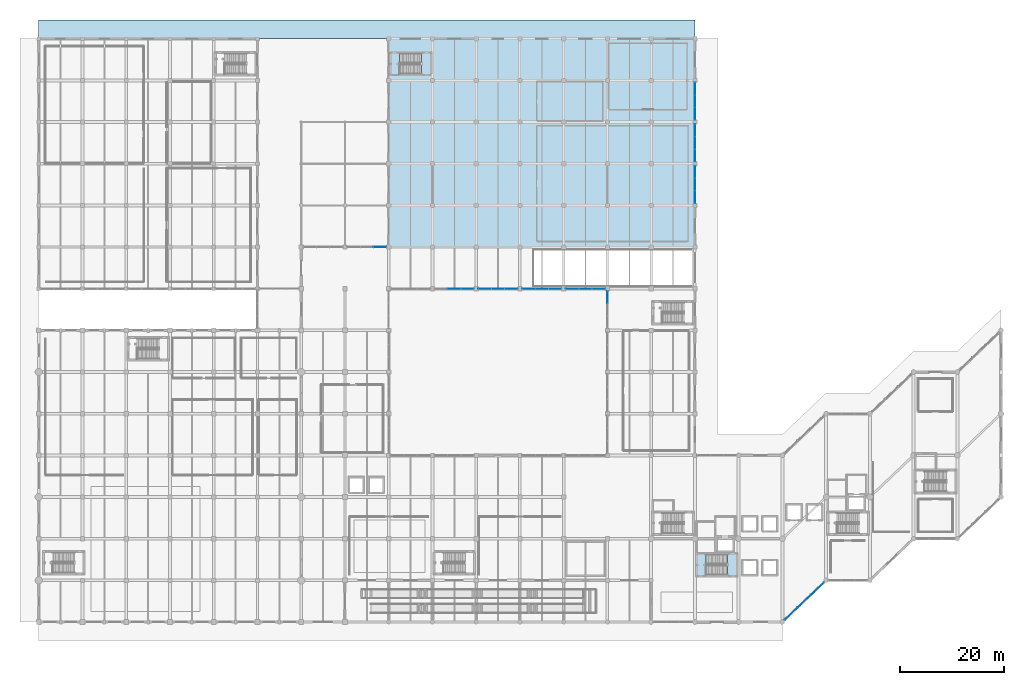
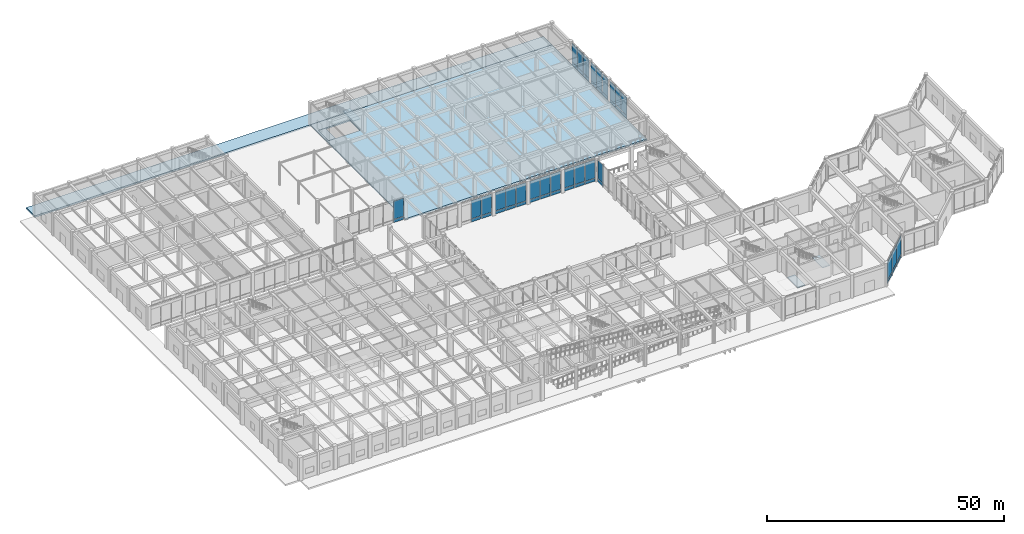
# One storey, part 46 of 76: 50 plates, 6 slabs, 12 elements without a shape of their own.
"""IFC4 building model written with IfcOpenShell, lengths in metres."""

from ifc_helpers import new_model, si_unit, direction, frame, origin, origin_2d, place, context, subcontext, project, spatial, polyline, rectangle, outline, extrude, material, layer, layer_set, type_object, element, aggregate, save


model = new_model("IFC4")

# Units and contexts
model_context = context("Model", 3, precision=1e-05, world=origin(), true_north=direction((0.0, 1.0)))
body_context = subcontext(model_context, "Body", "Model", "MODEL_VIEW")
ifc_project = project(units=[si_unit("LENGTHUNIT", "METRE"), si_unit("AREAUNIT", "SQUARE_METRE"), si_unit("VOLUMEUNIT", "CUBIC_METRE"), si_unit("PLANEANGLEUNIT", "RADIAN"), si_unit("MASSUNIT", "GRAM", prefix="KILO")], contexts=[model_context])

# Site, building, storey
site_placement = place(None, origin())
site = spatial("IfcSite", under=ifc_project, at=site_placement, CompositionType="ELEMENT")
building_placement = place(site_placement, origin())
building = spatial("IfcBuilding", under=site, at=building_placement, Name="Naruveol Harbour Congress Hotel", CompositionType="ELEMENT")
storey_placement = place(building_placement, origin())
storey = spatial("IfcBuildingStorey", under=building, at=storey_placement, Name="L00", CompositionType="ELEMENT", Elevation=0.0)

# Curtain wall, plates
ifc_material_1 = material(Name="Low-E Curtain Wall System", Category="glass")
ifc_layer_1 = layer(ifc_material_1, 0.179931640625)
ifc_layer_set_1 = layer_set([ifc_layer_1], Name="Low-E Curtain Wall System")
curtain_wall_type_1 = type_object("IfcCurtainWallType", Name="UNITISED CURTAIN WALL CW-V2E-16 7200X5700", PredefinedType="USERDEFINED", material=ifc_layer_set_1)
curtain_wall_1_placement = place(storey_placement, origin())
curtain_wall_1 = element("IfcCurtainWall", 1, at=curtain_wall_1_placement, inside=storey, type_object=curtain_wall_type_1, Name="Unitised curtain wall CW-V2E-16 L00", ObjectType="UNITISED GLAZING", PredefinedType="USERDEFINED")
ifc_material_2 = material(Name="Anodised Aluminium Spandrel", Category="aluminium")
ifc_layer_2 = layer(ifc_material_2, 0.054931640625)
ifc_layer_set_2 = layer_set([ifc_layer_2], Name="Anodised Aluminium Spandrel")
plate_type_1 = type_object("IfcPlateType", Name="INSULATED CERAMIC SPANDREL PANEL 55", PredefinedType="CURTAIN_PANEL", material=ifc_layer_set_2)
plate_1_placement = place(storey_placement, frame((126.010009765625, 86.39990234375, 0.0400390625), z_axis=(0.0, 0.0, 1.0), x_axis=(0.0, -1.0, 0.0)))
plate_1 = element("IfcPlate", 2, at=plate_1_placement, type_object=plate_type_1, Name="Curtain wall spandrel panel CW-L00-0033-PS0", PredefinedType="CURTAIN_PANEL", context=body_context, shape_type="SweptSolid", body=[
    extrude(rectangle(XDim=2.320068359375, YDim=0.054931640625, at=origin_2d()), origin(), (0.0, 0.0, 1.0), 0.77001953125),
])
plate_2_placement = place(storey_placement, frame((126.010009765625, 84.0, 0.0400390625), z_axis=(0.0, 0.0, 1.0), x_axis=(0.0, -1.0, 0.0)))
plate_2 = element("IfcPlate", 3, at=plate_2_placement, type_object=plate_type_1, Name="Curtain wall spandrel panel CW-L00-0033-PS1", PredefinedType="CURTAIN_PANEL", context=body_context, shape_type="SweptSolid", body=[
    extrude(rectangle(XDim=2.320068359375, YDim=0.054931640625, at=origin_2d()), origin(), (0.0, 0.0, 1.0), 0.77001953125),
])
plate_3_placement = place(storey_placement, frame((126.010009765625, 81.60009765625, 0.0400390625), z_axis=(0.0, 0.0, 1.0), x_axis=(0.0, -1.0, 0.0)))
plate_3 = element("IfcPlate", 4, at=plate_3_placement, type_object=plate_type_1, Name="Curtain wall spandrel panel CW-L00-0033-PS2", PredefinedType="CURTAIN_PANEL", context=body_context, shape_type="SweptSolid", body=[
    extrude(rectangle(XDim=2.320068359375, YDim=0.054931640625, at=origin_2d()), origin(), (0.0, 0.0, 1.0), 0.77001953125),
])

curtain_wall_2_placement = place(storey_placement, origin())
curtain_wall_2 = element("IfcCurtainWall", 5, at=curtain_wall_2_placement, inside=storey, type_object=curtain_wall_type_1, Name="Unitised curtain wall CW-V2E-16 L00", ObjectType="UNITISED GLAZING", PredefinedType="USERDEFINED")
plate_4_placement = place(storey_placement, frame((126.010009765625, 94.39990234375, 0.0400390625), z_axis=(0.0, 0.0, 1.0), x_axis=(0.0, -1.0, 0.0)))
plate_4 = element("IfcPlate", 6, at=plate_4_placement, type_object=plate_type_1, Name="Curtain wall spandrel panel CW-L00-0034-PS0", PredefinedType="CURTAIN_PANEL", context=body_context, shape_type="SweptSolid", body=[
    extrude(rectangle(XDim=2.320068359375, YDim=0.054931640625, at=origin_2d()), origin(), (0.0, 0.0, 1.0), 0.77001953125),
])
plate_5_placement = place(storey_placement, frame((126.010009765625, 92.0, 0.0400390625), z_axis=(0.0, 0.0, 1.0), x_axis=(0.0, -1.0, 0.0)))
plate_5 = element("IfcPlate", 7, at=plate_5_placement, type_object=plate_type_1, Name="Curtain wall spandrel panel CW-L00-0034-PS1", PredefinedType="CURTAIN_PANEL", context=body_context, shape_type="SweptSolid", body=[
    extrude(rectangle(XDim=2.320068359375, YDim=0.054931640625, at=origin_2d()), origin(), (0.0, 0.0, 1.0), 0.77001953125),
])
plate_6_placement = place(storey_placement, frame((126.010009765625, 89.60009765625, 0.0400390625), z_axis=(0.0, 0.0, 1.0), x_axis=(0.0, -1.0, 0.0)))
plate_6 = element("IfcPlate", 8, at=plate_6_placement, type_object=plate_type_1, Name="Curtain wall spandrel panel CW-L00-0034-PS2", PredefinedType="CURTAIN_PANEL", context=body_context, shape_type="SweptSolid", body=[
    extrude(rectangle(XDim=2.320068359375, YDim=0.054931640625, at=origin_2d()), origin(), (0.0, 0.0, 1.0), 0.77001953125),
])

curtain_wall_3_placement = place(storey_placement, origin())
curtain_wall_3 = element("IfcCurtainWall", 9, at=curtain_wall_3_placement, inside=storey, type_object=curtain_wall_type_1, Name="Unitised curtain wall CW-V2E-16 L00", ObjectType="UNITISED GLAZING", PredefinedType="USERDEFINED")
plate_7_placement = place(storey_placement, frame((126.010009765625, 102.39990234375, 0.0400390625), z_axis=(0.0, 0.0, 1.0), x_axis=(0.0, -1.0, 0.0)))
plate_7 = element("IfcPlate", 10, at=plate_7_placement, type_object=plate_type_1, Name="Curtain wall spandrel panel CW-L00-0035-PS0", PredefinedType="CURTAIN_PANEL", context=body_context, shape_type="SweptSolid", body=[
    extrude(rectangle(XDim=2.320068359375, YDim=0.054931640625, at=origin_2d()), origin(), (0.0, 0.0, 1.0), 0.77001953125),
])
plate_8_placement = place(storey_placement, frame((126.010009765625, 100.0, 0.0400390625), z_axis=(0.0, 0.0, 1.0), x_axis=(0.0, -1.0, 0.0)))
plate_8 = element("IfcPlate", 11, at=plate_8_placement, type_object=plate_type_1, Name="Curtain wall spandrel panel CW-L00-0035-PS1", PredefinedType="CURTAIN_PANEL", context=body_context, shape_type="SweptSolid", body=[
    extrude(rectangle(XDim=2.320068359375, YDim=0.054931640625, at=origin_2d()), origin(), (0.0, 0.0, 1.0), 0.77001953125),
])
plate_9_placement = place(storey_placement, frame((126.010009765625, 97.60009765625, 0.0400390625), z_axis=(0.0, 0.0, 1.0), x_axis=(0.0, -1.0, 0.0)))
plate_9 = element("IfcPlate", 12, at=plate_9_placement, type_object=plate_type_1, Name="Curtain wall spandrel panel CW-L00-0035-PS2", PredefinedType="CURTAIN_PANEL", context=body_context, shape_type="SweptSolid", body=[
    extrude(rectangle(XDim=2.320068359375, YDim=0.054931640625, at=origin_2d()), origin(), (0.0, 0.0, 1.0), 0.77001953125),
])

# Curtain wall, plate
ifc_material_3 = material(Name="Low-E Curtain Wall System", Category="glass")
ifc_layer_3 = layer(ifc_material_3, 0.179931640625)
ifc_layer_set_3 = layer_set([ifc_layer_3], Name="Low-E Curtain Wall System")
curtain_wall_type_2 = type_object("IfcCurtainWallType", Name="UNITISED CURTAIN WALL CW-V4NF-25 7600X5700", PredefinedType="USERDEFINED", material=ifc_layer_set_3)
curtain_wall_4_placement = place(storey_placement, origin())
curtain_wall_4 = element("IfcCurtainWall", 13, at=curtain_wall_4_placement, inside=storey, type_object=curtain_wall_type_2, Name="Unitised curtain wall CW-V4NF-25 L00", ObjectType="UNITISED GLAZING", PredefinedType="USERDEFINED")
plate_10_placement = place(storey_placement, frame((65.533203125, 72.010009765625, 0.0400390625), z_axis=(0.0, 0.0, 1.0), x_axis=(1.0, 0.0, 0.0)))
plate_10 = element("IfcPlate", 14, at=plate_10_placement, type_object=plate_type_1, Name="Curtain wall spandrel panel CW-L00-0053-PS2", PredefinedType="CURTAIN_PANEL", context=body_context, shape_type="SweptSolid", body=[
    extrude(rectangle(XDim=2.452880859375, YDim=0.054931640625, at=origin_2d()), origin(), (0.0, 0.0, 1.0), 0.77001953125),
])

# Curtain wall, plates
ifc_material_4 = material(Name="Low-E Curtain Wall System", Category="glass")
ifc_layer_4 = layer(ifc_material_4, 0.179931640625)
ifc_layer_set_4 = layer_set([ifc_layer_4], Name="Low-E Curtain Wall System")
curtain_wall_type_3 = type_object("IfcCurtainWallType", Name="UNITISED CURTAIN WALL CW-CTN-26 7600X5700", PredefinedType="USERDEFINED", material=ifc_layer_set_4)
curtain_wall_5_placement = place(storey_placement, origin())
curtain_wall_5 = element("IfcCurtainWall", 15, at=curtain_wall_5_placement, inside=storey, type_object=curtain_wall_type_3, Name="Unitised curtain wall CW-CTN-26 L00", ObjectType="UNITISED GLAZING", PredefinedType="USERDEFINED")
plate_11_placement = place(storey_placement, frame((82.333251953125, 63.989990234375, 0.0400390625), z_axis=(0.0, 0.0, 1.0), x_axis=(-1.0, 0.0, 0.0)))
plate_11 = element("IfcPlate", 16, at=plate_11_placement, type_object=plate_type_1, Name="Curtain wall spandrel panel CW-L00-0056-PS0", PredefinedType="CURTAIN_PANEL", context=body_context, shape_type="SweptSolid", body=[
    extrude(rectangle(XDim=2.452880859375, YDim=0.054931640625, at=origin_2d()), origin(), (0.0, 0.0, 1.0), 0.77001953125),
])
plate_12_placement = place(storey_placement, frame((79.800048828125, 63.989990234375, 0.0400390625), z_axis=(0.0, 0.0, 1.0), x_axis=(-1.0, 0.0, 0.0)))
plate_12 = element("IfcPlate", 17, at=plate_12_placement, type_object=plate_type_1, Name="Curtain wall spandrel panel CW-L00-0056-PS1", PredefinedType="CURTAIN_PANEL", context=body_context, shape_type="SweptSolid", body=[
    extrude(rectangle(XDim=2.452880859375, YDim=0.054931640625, at=origin_2d()), origin(), (0.0, 0.0, 1.0), 0.77001953125),
])

curtain_wall_6_placement = place(storey_placement, origin())
curtain_wall_6 = element("IfcCurtainWall", 18, at=curtain_wall_6_placement, inside=storey, type_object=curtain_wall_type_3, Name="Unitised curtain wall CW-CTN-26 L00", ObjectType="UNITISED GLAZING", PredefinedType="USERDEFINED")
plate_13_placement = place(storey_placement, frame((90.7333984375, 63.989990234375, 0.0400390625), z_axis=(0.0, 0.0, 1.0), x_axis=(-1.0, 0.0, 0.0)))
plate_13 = element("IfcPlate", 19, at=plate_13_placement, type_object=plate_type_1, Name="Curtain wall spandrel panel CW-L00-0058-PS0", PredefinedType="CURTAIN_PANEL", context=body_context, shape_type="SweptSolid", body=[
    extrude(rectangle(XDim=2.452880859375, YDim=0.054931640625, at=origin_2d()), origin(), (0.0, 0.0, 1.0), 0.77001953125),
])
plate_14_placement = place(storey_placement, frame((88.199951171875, 63.989990234375, 0.0400390625), z_axis=(0.0, 0.0, 1.0), x_axis=(-1.0, 0.0, 0.0)))
plate_14 = element("IfcPlate", 20, at=plate_14_placement, type_object=plate_type_1, Name="Curtain wall spandrel panel CW-L00-0058-PS1", PredefinedType="CURTAIN_PANEL", context=body_context, shape_type="SweptSolid", body=[
    extrude(rectangle(XDim=2.452880859375, YDim=0.054931640625, at=origin_2d()), origin(), (0.0, 0.0, 1.0), 0.77001953125),
])
plate_15_placement = place(storey_placement, frame((85.666748046875, 63.989990234375, 0.0400390625), z_axis=(0.0, 0.0, 1.0), x_axis=(-1.0, 0.0, 0.0)))
plate_15 = element("IfcPlate", 21, at=plate_15_placement, type_object=plate_type_1, Name="Curtain wall spandrel panel CW-L00-0058-PS2", PredefinedType="CURTAIN_PANEL", context=body_context, shape_type="SweptSolid", body=[
    extrude(rectangle(XDim=2.452880859375, YDim=0.054931640625, at=origin_2d()), origin(), (0.0, 0.0, 1.0), 0.77001953125),
])

curtain_wall_7_placement = place(storey_placement, origin())
curtain_wall_7 = element("IfcCurtainWall", 22, at=curtain_wall_7_placement, inside=storey, type_object=curtain_wall_type_3, Name="Unitised curtain wall CW-CTN-26 L00", ObjectType="UNITISED GLAZING", PredefinedType="USERDEFINED")
plate_16_placement = place(storey_placement, frame((99.13330078125, 63.989990234375, 0.0400390625), z_axis=(0.0, 0.0, 1.0), x_axis=(-1.0, 0.0, 0.0)))
plate_16 = element("IfcPlate", 23, at=plate_16_placement, type_object=plate_type_1, Name="Curtain wall spandrel panel CW-L00-0059-PS0", PredefinedType="CURTAIN_PANEL", context=body_context, shape_type="SweptSolid", body=[
    extrude(rectangle(XDim=2.452880859375, YDim=0.054931640625, at=origin_2d()), origin(), (0.0, 0.0, 1.0), 0.77001953125),
])
plate_17_placement = place(storey_placement, frame((96.60009765625, 63.989990234375, 0.0400390625), z_axis=(0.0, 0.0, 1.0), x_axis=(-1.0, 0.0, 0.0)))
plate_17 = element("IfcPlate", 24, at=plate_17_placement, type_object=plate_type_1, Name="Curtain wall spandrel panel CW-L00-0059-PS1", PredefinedType="CURTAIN_PANEL", context=body_context, shape_type="SweptSolid", body=[
    extrude(rectangle(XDim=2.452880859375, YDim=0.054931640625, at=origin_2d()), origin(), (0.0, 0.0, 1.0), 0.77001953125),
])
plate_18_placement = place(storey_placement, frame((94.066650390625, 63.989990234375, 0.0400390625), z_axis=(0.0, 0.0, 1.0), x_axis=(-1.0, 0.0, 0.0)))
plate_18 = element("IfcPlate", 25, at=plate_18_placement, type_object=plate_type_1, Name="Curtain wall spandrel panel CW-L00-0059-PS2", PredefinedType="CURTAIN_PANEL", context=body_context, shape_type="SweptSolid", body=[
    extrude(rectangle(XDim=2.452880859375, YDim=0.054931640625, at=origin_2d()), origin(), (0.0, 0.0, 1.0), 0.77001953125),
])

curtain_wall_8_placement = place(storey_placement, origin())
curtain_wall_8 = element("IfcCurtainWall", 26, at=curtain_wall_8_placement, inside=storey, type_object=curtain_wall_type_3, Name="Unitised curtain wall CW-CTN-26 L00", ObjectType="UNITISED GLAZING", PredefinedType="USERDEFINED")
plate_19_placement = place(storey_placement, frame((107.533203125, 63.989990234375, 0.0400390625), z_axis=(0.0, 0.0, 1.0), x_axis=(-1.0, 0.0, 0.0)))
plate_19 = element("IfcPlate", 27, at=plate_19_placement, type_object=plate_type_1, Name="Curtain wall spandrel panel CW-L00-0061-PS0", PredefinedType="CURTAIN_PANEL", context=body_context, shape_type="SweptSolid", body=[
    extrude(rectangle(XDim=2.452880859375, YDim=0.054931640625, at=origin_2d()), origin(), (0.0, 0.0, 1.0), 0.77001953125),
])
plate_20_placement = place(storey_placement, frame((105.0, 63.989990234375, 0.0400390625), z_axis=(0.0, 0.0, 1.0), x_axis=(-1.0, 0.0, 0.0)))
plate_20 = element("IfcPlate", 28, at=plate_20_placement, type_object=plate_type_1, Name="Curtain wall spandrel panel CW-L00-0061-PS1", PredefinedType="CURTAIN_PANEL", context=body_context, shape_type="SweptSolid", body=[
    extrude(rectangle(XDim=2.452880859375, YDim=0.054931640625, at=origin_2d()), origin(), (0.0, 0.0, 1.0), 0.77001953125),
])
plate_21_placement = place(storey_placement, frame((102.466796875, 63.989990234375, 0.0400390625), z_axis=(0.0, 0.0, 1.0), x_axis=(-1.0, 0.0, 0.0)))
plate_21 = element("IfcPlate", 29, at=plate_21_placement, type_object=plate_type_1, Name="Curtain wall spandrel panel CW-L00-0061-PS2", PredefinedType="CURTAIN_PANEL", context=body_context, shape_type="SweptSolid", body=[
    extrude(rectangle(XDim=2.452880859375, YDim=0.054931640625, at=origin_2d()), origin(), (0.0, 0.0, 1.0), 0.77001953125),
])

# Curtain wall, plate
ifc_material_5 = material(Name="Low-E Curtain Wall System", Category="glass")
ifc_layer_5 = layer(ifc_material_5, 0.179931640625)
ifc_layer_set_5 = layer_set([ifc_layer_5], Name="Low-E Curtain Wall System")
curtain_wall_type_4 = type_object("IfcCurtainWallType", Name="UNITISED CURTAIN WALL CW-CTE-29 7200X5700", PredefinedType="USERDEFINED", material=ifc_layer_set_5)
curtain_wall_9_placement = place(storey_placement, origin())
curtain_wall_9 = element("IfcCurtainWall", 30, at=curtain_wall_9_placement, inside=storey, type_object=curtain_wall_type_4, Name="Unitised curtain wall CW-CTE-29 L00", ObjectType="UNITISED GLAZING", PredefinedType="USERDEFINED")
plate_22_placement = place(storey_placement, frame((109.2099609375, 62.39990234375, 0.0400390625), z_axis=(0.0, 0.0, 1.0), x_axis=(0.0, -1.0, 0.0)))
plate_22 = element("IfcPlate", 31, at=plate_22_placement, type_object=plate_type_1, Name="Curtain wall spandrel panel CW-L00-0070-PS0", PredefinedType="CURTAIN_PANEL", context=body_context, shape_type="SweptSolid", body=[
    extrude(rectangle(XDim=2.320068359375, YDim=0.054931640625, at=origin_2d()), origin(), (0.0, 0.0, 1.0), 0.77001953125),
])

# Curtain wall, plates
ifc_material_6 = material(Name="Low-E Curtain Wall System", Category="glass")
ifc_layer_6 = layer(ifc_material_6, 0.179931640625)
ifc_layer_set_6 = layer_set([ifc_layer_6], Name="Low-E Curtain Wall System")
curtain_wall_type_5 = type_object("IfcCurtainWallType", Name="UNITISED CURTAIN WALL CW-V5S-48 10357X5720", PredefinedType="USERDEFINED", material=ifc_layer_set_6)
curtain_wall_10_placement = place(storey_placement, origin())
curtain_wall_10 = element("IfcCurtainWall", 32, at=curtain_wall_10_placement, inside=storey, type_object=curtain_wall_type_5, Name="Unitised curtain wall CW-V5S-48 L00", ObjectType="UNITISED GLAZING", PredefinedType="USERDEFINED")
plate_23_placement = place(storey_placement, frame((149.5068359375, 6.373291015625, 0.0400390625), z_axis=(0.0, 0.0, 1.0), x_axis=(-0.724183897459, -0.689606904447, 0.0)))
plate_23 = element("IfcPlate", 33, at=plate_23_placement, type_object=plate_type_1, Name="Curtain wall spandrel panel CW-L00-0128-PS0", PredefinedType="CURTAIN_PANEL", context=body_context, shape_type="SweptSolid", body=[
    extrude(rectangle(XDim=3.3720703125, YDim=0.054931640625, at=origin_2d()), origin(), (0.0, 0.0, 1.0), 0.77001953125),
])
plate_24_placement = place(storey_placement, frame((147.0068359375, 3.992919921875, 0.0400390625), z_axis=(0.0, 0.0, 1.0), x_axis=(-0.724183897459, -0.689606904447, 0.0)))
plate_24 = element("IfcPlate", 34, at=plate_24_placement, type_object=plate_type_1, Name="Curtain wall spandrel panel CW-L00-0128-PS1", PredefinedType="CURTAIN_PANEL", context=body_context, shape_type="SweptSolid", body=[
    extrude(rectangle(XDim=3.3720703125, YDim=0.054931640625, at=origin_2d()), origin(), (0.0, 0.0, 1.0), 0.77001953125),
])
plate_25_placement = place(storey_placement, frame((144.5068359375, 1.612060546875, 0.0400390625), z_axis=(0.0, 0.0, 1.0), x_axis=(-0.724183897459, -0.689606904447, 0.0)))
plate_25 = element("IfcPlate", 35, at=plate_25_placement, type_object=plate_type_1, Name="Curtain wall spandrel panel CW-L00-0128-PS2", PredefinedType="CURTAIN_PANEL", context=body_context, shape_type="SweptSolid", body=[
    extrude(rectangle(XDim=3.3720703125, YDim=0.054931640625, at=origin_2d()), origin(), (0.0, 0.0, 1.0), 0.77001953125),
])

# Plate
ifc_material_7 = material(Name="Low-E Insulated Glass", Category="glass")
ifc_layer_7 = layer(ifc_material_7, 0.0419921875)
ifc_layer_set_7 = layer_set([ifc_layer_7], Name="Low-E Insulated Glass")
plate_type_2 = type_object("IfcPlateType", Name="LOW-E TRIPLE GLAZED CURTAIN PANEL 42", PredefinedType="CURTAIN_PANEL", material=ifc_layer_set_7)
plate_26_placement = place(storey_placement, frame((126.010009765625, 86.39990234375, 0.89013671875), z_axis=(0.0, 0.0, 1.0), x_axis=(0.0, -1.0, 0.0)))
plate_26 = element("IfcPlate", 36, at=plate_26_placement, type_object=plate_type_2, Name="Curtain wall vision panel CW-L00-0033-PG0", PredefinedType="CURTAIN_PANEL", context=body_context, shape_type="SweptSolid", body=[
    extrude(rectangle(XDim=2.320068359375, YDim=0.0419921875, at=origin_2d()), origin(), (0.0, 0.0, 1.0), 4.68994140625),
])

plate_27_placement = place(storey_placement, frame((126.010009765625, 84.0, 0.89013671875), z_axis=(0.0, 0.0, 1.0), x_axis=(0.0, -1.0, 0.0)))
plate_27 = element("IfcPlate", 37, at=plate_27_placement, type_object=plate_type_2, Name="Curtain wall vision panel CW-L00-0033-PG1", PredefinedType="CURTAIN_PANEL", context=body_context, shape_type="SweptSolid", body=[
    extrude(rectangle(XDim=2.320068359375, YDim=0.0419921875, at=origin_2d()), origin(), (0.0, 0.0, 1.0), 4.68994140625),
])

plate_28_placement = place(storey_placement, frame((126.010009765625, 81.60009765625, 0.89013671875), z_axis=(0.0, 0.0, 1.0), x_axis=(0.0, -1.0, 0.0)))
plate_28 = element("IfcPlate", 38, at=plate_28_placement, type_object=plate_type_2, Name="Curtain wall vision panel CW-L00-0033-PG2", PredefinedType="CURTAIN_PANEL", context=body_context, shape_type="SweptSolid", body=[
    extrude(rectangle(XDim=2.320068359375, YDim=0.0419921875, at=origin_2d()), origin(), (0.0, 0.0, 1.0), 4.68994140625),
])

aggregate(curtain_wall_1, [plate_1, plate_26, plate_2, plate_27, plate_3, plate_28])

plate_29_placement = place(storey_placement, frame((126.010009765625, 94.39990234375, 0.89013671875), z_axis=(0.0, 0.0, 1.0), x_axis=(0.0, -1.0, 0.0)))
plate_29 = element("IfcPlate", 39, at=plate_29_placement, type_object=plate_type_2, Name="Curtain wall vision panel CW-L00-0034-PG0", PredefinedType="CURTAIN_PANEL", context=body_context, shape_type="SweptSolid", body=[
    extrude(rectangle(XDim=2.320068359375, YDim=0.0419921875, at=origin_2d()), origin(), (0.0, 0.0, 1.0), 4.68994140625),
])

plate_30_placement = place(storey_placement, frame((126.010009765625, 92.0, 0.89013671875), z_axis=(0.0, 0.0, 1.0), x_axis=(0.0, -1.0, 0.0)))
plate_30 = element("IfcPlate", 40, at=plate_30_placement, type_object=plate_type_2, Name="Curtain wall vision panel CW-L00-0034-PG1", PredefinedType="CURTAIN_PANEL", context=body_context, shape_type="SweptSolid", body=[
    extrude(rectangle(XDim=2.320068359375, YDim=0.0419921875, at=origin_2d()), origin(), (0.0, 0.0, 1.0), 4.68994140625),
])

plate_31_placement = place(storey_placement, frame((126.010009765625, 89.60009765625, 0.89013671875), z_axis=(0.0, 0.0, 1.0), x_axis=(0.0, -1.0, 0.0)))
plate_31 = element("IfcPlate", 41, at=plate_31_placement, type_object=plate_type_2, Name="Curtain wall vision panel CW-L00-0034-PG2", PredefinedType="CURTAIN_PANEL", context=body_context, shape_type="SweptSolid", body=[
    extrude(rectangle(XDim=2.320068359375, YDim=0.0419921875, at=origin_2d()), origin(), (0.0, 0.0, 1.0), 4.68994140625),
])

aggregate(curtain_wall_2, [plate_4, plate_29, plate_5, plate_30, plate_6, plate_31])

plate_32_placement = place(storey_placement, frame((126.010009765625, 102.39990234375, 0.89013671875), z_axis=(0.0, 0.0, 1.0), x_axis=(0.0, -1.0, 0.0)))
plate_32 = element("IfcPlate", 42, at=plate_32_placement, type_object=plate_type_2, Name="Curtain wall vision panel CW-L00-0035-PG0", PredefinedType="CURTAIN_PANEL", context=body_context, shape_type="SweptSolid", body=[
    extrude(rectangle(XDim=2.320068359375, YDim=0.0419921875, at=origin_2d()), origin(), (0.0, 0.0, 1.0), 4.68994140625),
])

plate_33_placement = place(storey_placement, frame((126.010009765625, 100.0, 0.89013671875), z_axis=(0.0, 0.0, 1.0), x_axis=(0.0, -1.0, 0.0)))
plate_33 = element("IfcPlate", 43, at=plate_33_placement, type_object=plate_type_2, Name="Curtain wall vision panel CW-L00-0035-PG1", PredefinedType="CURTAIN_PANEL", context=body_context, shape_type="SweptSolid", body=[
    extrude(rectangle(XDim=2.320068359375, YDim=0.0419921875, at=origin_2d()), origin(), (0.0, 0.0, 1.0), 4.68994140625),
])

plate_34_placement = place(storey_placement, frame((126.010009765625, 97.60009765625, 0.89013671875), z_axis=(0.0, 0.0, 1.0), x_axis=(0.0, -1.0, 0.0)))
plate_34 = element("IfcPlate", 44, at=plate_34_placement, type_object=plate_type_2, Name="Curtain wall vision panel CW-L00-0035-PG2", PredefinedType="CURTAIN_PANEL", context=body_context, shape_type="SweptSolid", body=[
    extrude(rectangle(XDim=2.320068359375, YDim=0.0419921875, at=origin_2d()), origin(), (0.0, 0.0, 1.0), 4.68994140625),
])

aggregate(curtain_wall_3, [plate_7, plate_32, plate_8, plate_33, plate_9, plate_34])

plate_35_placement = place(storey_placement, frame((65.533203125, 72.010009765625, 0.89013671875), z_axis=(0.0, 0.0, 1.0), x_axis=(1.0, 0.0, 0.0)))
plate_35 = element("IfcPlate", 45, at=plate_35_placement, type_object=plate_type_2, Name="Curtain wall vision panel CW-L00-0053-PG2", PredefinedType="CURTAIN_PANEL", context=body_context, shape_type="SweptSolid", body=[
    extrude(rectangle(XDim=2.452880859375, YDim=0.0419921875, at=origin_2d()), origin(), (0.0, 0.0, 1.0), 4.68994140625),
])

aggregate(curtain_wall_4, [plate_10, plate_35])

plate_36_placement = place(storey_placement, frame((82.333251953125, 63.989990234375, 0.89013671875), z_axis=(0.0, 0.0, 1.0), x_axis=(-1.0, 0.0, 0.0)))
plate_36 = element("IfcPlate", 46, at=plate_36_placement, type_object=plate_type_2, Name="Curtain wall vision panel CW-L00-0056-PG0", PredefinedType="CURTAIN_PANEL", context=body_context, shape_type="SweptSolid", body=[
    extrude(rectangle(XDim=2.452880859375, YDim=0.0419921875, at=origin_2d()), origin(), (0.0, 0.0, 1.0), 4.68994140625),
])

plate_37_placement = place(storey_placement, frame((79.800048828125, 63.989990234375, 0.89013671875), z_axis=(0.0, 0.0, 1.0), x_axis=(-1.0, 0.0, 0.0)))
plate_37 = element("IfcPlate", 47, at=plate_37_placement, type_object=plate_type_2, Name="Curtain wall vision panel CW-L00-0056-PG1", PredefinedType="CURTAIN_PANEL", context=body_context, shape_type="SweptSolid", body=[
    extrude(rectangle(XDim=2.452880859375, YDim=0.0419921875, at=origin_2d()), origin(), (0.0, 0.0, 1.0), 4.68994140625),
])

aggregate(curtain_wall_5, [plate_11, plate_36, plate_12, plate_37])

plate_38_placement = place(storey_placement, frame((90.7333984375, 63.989990234375, 0.89013671875), z_axis=(0.0, 0.0, 1.0), x_axis=(-1.0, 0.0, 0.0)))
plate_38 = element("IfcPlate", 48, at=plate_38_placement, type_object=plate_type_2, Name="Curtain wall vision panel CW-L00-0058-PG0", PredefinedType="CURTAIN_PANEL", context=body_context, shape_type="SweptSolid", body=[
    extrude(rectangle(XDim=2.452880859375, YDim=0.0419921875, at=origin_2d()), origin(), (0.0, 0.0, 1.0), 4.68994140625),
])

plate_39_placement = place(storey_placement, frame((88.199951171875, 63.989990234375, 0.89013671875), z_axis=(0.0, 0.0, 1.0), x_axis=(-1.0, 0.0, 0.0)))
plate_39 = element("IfcPlate", 49, at=plate_39_placement, type_object=plate_type_2, Name="Curtain wall vision panel CW-L00-0058-PG1", PredefinedType="CURTAIN_PANEL", context=body_context, shape_type="SweptSolid", body=[
    extrude(rectangle(XDim=2.452880859375, YDim=0.0419921875, at=origin_2d()), origin(), (0.0, 0.0, 1.0), 4.68994140625),
])

plate_40_placement = place(storey_placement, frame((85.666748046875, 63.989990234375, 0.89013671875), z_axis=(0.0, 0.0, 1.0), x_axis=(-1.0, 0.0, 0.0)))
plate_40 = element("IfcPlate", 50, at=plate_40_placement, type_object=plate_type_2, Name="Curtain wall vision panel CW-L00-0058-PG2", PredefinedType="CURTAIN_PANEL", context=body_context, shape_type="SweptSolid", body=[
    extrude(rectangle(XDim=2.452880859375, YDim=0.0419921875, at=origin_2d()), origin(), (0.0, 0.0, 1.0), 4.68994140625),
])

aggregate(curtain_wall_6, [plate_13, plate_38, plate_14, plate_39, plate_15, plate_40])

plate_41_placement = place(storey_placement, frame((99.13330078125, 63.989990234375, 0.89013671875), z_axis=(0.0, 0.0, 1.0), x_axis=(-1.0, 0.0, 0.0)))
plate_41 = element("IfcPlate", 51, at=plate_41_placement, type_object=plate_type_2, Name="Curtain wall vision panel CW-L00-0059-PG0", PredefinedType="CURTAIN_PANEL", context=body_context, shape_type="SweptSolid", body=[
    extrude(rectangle(XDim=2.452880859375, YDim=0.0419921875, at=origin_2d()), origin(), (0.0, 0.0, 1.0), 4.68994140625),
])

plate_42_placement = place(storey_placement, frame((96.60009765625, 63.989990234375, 0.89013671875), z_axis=(0.0, 0.0, 1.0), x_axis=(-1.0, 0.0, 0.0)))
plate_42 = element("IfcPlate", 52, at=plate_42_placement, type_object=plate_type_2, Name="Curtain wall vision panel CW-L00-0059-PG1", PredefinedType="CURTAIN_PANEL", context=body_context, shape_type="SweptSolid", body=[
    extrude(rectangle(XDim=2.452880859375, YDim=0.0419921875, at=origin_2d()), origin(), (0.0, 0.0, 1.0), 4.68994140625),
])

plate_43_placement = place(storey_placement, frame((94.066650390625, 63.989990234375, 0.89013671875), z_axis=(0.0, 0.0, 1.0), x_axis=(-1.0, 0.0, 0.0)))
plate_43 = element("IfcPlate", 53, at=plate_43_placement, type_object=plate_type_2, Name="Curtain wall vision panel CW-L00-0059-PG2", PredefinedType="CURTAIN_PANEL", context=body_context, shape_type="SweptSolid", body=[
    extrude(rectangle(XDim=2.452880859375, YDim=0.0419921875, at=origin_2d()), origin(), (0.0, 0.0, 1.0), 4.68994140625),
])

aggregate(curtain_wall_7, [plate_16, plate_41, plate_17, plate_42, plate_18, plate_43])

plate_44_placement = place(storey_placement, frame((107.533203125, 63.989990234375, 0.89013671875), z_axis=(0.0, 0.0, 1.0), x_axis=(-1.0, 0.0, 0.0)))
plate_44 = element("IfcPlate", 54, at=plate_44_placement, type_object=plate_type_2, Name="Curtain wall vision panel CW-L00-0061-PG0", PredefinedType="CURTAIN_PANEL", context=body_context, shape_type="SweptSolid", body=[
    extrude(rectangle(XDim=2.452880859375, YDim=0.0419921875, at=origin_2d()), origin(), (0.0, 0.0, 1.0), 4.68994140625),
])

plate_45_placement = place(storey_placement, frame((105.0, 63.989990234375, 0.89013671875), z_axis=(0.0, 0.0, 1.0), x_axis=(-1.0, 0.0, 0.0)))
plate_45 = element("IfcPlate", 55, at=plate_45_placement, type_object=plate_type_2, Name="Curtain wall vision panel CW-L00-0061-PG1", PredefinedType="CURTAIN_PANEL", context=body_context, shape_type="SweptSolid", body=[
    extrude(rectangle(XDim=2.452880859375, YDim=0.0419921875, at=origin_2d()), origin(), (0.0, 0.0, 1.0), 4.68994140625),
])

plate_46_placement = place(storey_placement, frame((102.466796875, 63.989990234375, 0.89013671875), z_axis=(0.0, 0.0, 1.0), x_axis=(-1.0, 0.0, 0.0)))
plate_46 = element("IfcPlate", 56, at=plate_46_placement, type_object=plate_type_2, Name="Curtain wall vision panel CW-L00-0061-PG2", PredefinedType="CURTAIN_PANEL", context=body_context, shape_type="SweptSolid", body=[
    extrude(rectangle(XDim=2.452880859375, YDim=0.0419921875, at=origin_2d()), origin(), (0.0, 0.0, 1.0), 4.68994140625),
])

aggregate(curtain_wall_8, [plate_19, plate_44, plate_20, plate_45, plate_21, plate_46])

plate_47_placement = place(storey_placement, frame((109.2099609375, 62.39990234375, 0.89013671875), z_axis=(0.0, 0.0, 1.0), x_axis=(0.0, -1.0, 0.0)))
plate_47 = element("IfcPlate", 57, at=plate_47_placement, type_object=plate_type_2, Name="Curtain wall vision panel CW-L00-0070-PG0", PredefinedType="CURTAIN_PANEL", context=body_context, shape_type="SweptSolid", body=[
    extrude(rectangle(XDim=2.320068359375, YDim=0.0419921875, at=origin_2d()), origin(), (0.0, 0.0, 1.0), 4.68994140625),
])

aggregate(curtain_wall_9, [plate_22, plate_47])

plate_48_placement = place(storey_placement, frame((149.5068359375, 6.373291015625, 0.89013671875), z_axis=(0.0, 0.0, 1.0), x_axis=(-0.724183897459, -0.689606904447, 0.0)))
plate_48 = element("IfcPlate", 58, at=plate_48_placement, type_object=plate_type_2, Name="Curtain wall vision panel CW-L00-0128-PG0", PredefinedType="CURTAIN_PANEL", context=body_context, shape_type="SweptSolid", body=[
    extrude(rectangle(XDim=3.3720703125, YDim=0.0419921875, at=origin_2d()), origin(), (0.0, 0.0, 1.0), 4.7099609375),
])

plate_49_placement = place(storey_placement, frame((147.0068359375, 3.992919921875, 0.89013671875), z_axis=(0.0, 0.0, 1.0), x_axis=(-0.724183897459, -0.689606904447, 0.0)))
plate_49 = element("IfcPlate", 59, at=plate_49_placement, type_object=plate_type_2, Name="Curtain wall vision panel CW-L00-0128-PG1", PredefinedType="CURTAIN_PANEL", context=body_context, shape_type="SweptSolid", body=[
    extrude(rectangle(XDim=3.3720703125, YDim=0.0419921875, at=origin_2d()), origin(), (0.0, 0.0, 1.0), 4.7099609375),
])

plate_50_placement = place(storey_placement, frame((144.5068359375, 1.612060546875, 0.89013671875), z_axis=(0.0, 0.0, 1.0), x_axis=(-0.724183897459, -0.689606904447, 0.0)))
plate_50 = element("IfcPlate", 60, at=plate_50_placement, type_object=plate_type_2, Name="Curtain wall vision panel CW-L00-0128-PG2", PredefinedType="CURTAIN_PANEL", context=body_context, shape_type="SweptSolid", body=[
    extrude(rectangle(XDim=3.3720703125, YDim=0.0419921875, at=origin_2d()), origin(), (0.0, 0.0, 1.0), 4.7099609375),
])

aggregate(curtain_wall_10, [plate_23, plate_48, plate_24, plate_49, plate_25, plate_50])

# Slabs
ifc_material_8 = material(Name="Concrete C40/50", Category="concrete")
ifc_layer_8 = layer(ifc_material_8, 0.35009765625)
ifc_layer_set_8 = layer_set([ifc_layer_8], Name="Concrete C40/50")
slab_type_1 = type_object("IfcSlabType", Name="RC GROUND CONCOURSE SLAB 350", PredefinedType="FLOOR", material=ifc_layer_set_8)
slab_1_placement = place(storey_placement, frame((0.0, 0.0, -0.35009765625)))
element("IfcSlab", 61, at=slab_1_placement, inside=storey, type_object=slab_type_1, Name="Level L00 Ballroom kitchens slab", PredefinedType="FLOOR", context=body_context, shape_type="SweptSolid", body=[
    extrude(outline(polyline([(67.199951171875, 72.0), (126.0, 72.0), (126.0, 112.0), (67.199951171875, 112.0), (67.199951171875, 72.0)]), holes=[polyline([(67.5, 105.0), (75.300048828125, 105.0), (75.300048828125, 109.360107421875), (67.5, 109.360107421875), (67.5, 105.0)])]), origin(), (0.0, 0.0, 1.0), 0.35009765625),
])
ifc_material_9 = material(Name="Concrete C40/50", Category="concrete")
ifc_layer_9 = layer(ifc_material_9, 0.39990234375)
ifc_layer_set_9 = layer_set([ifc_layer_9], Name="Concrete C40/50")
slab_type_2 = type_object("IfcSlabType", Name="RC PROMENADE PLINTH SLAB 400", PredefinedType="BASESLAB", material=ifc_layer_set_9)
slab_2_placement = place(storey_placement, frame((0.0, 0.0, -0.39990234375)))
element("IfcSlab", 62, at=slab_2_placement, inside=storey, type_object=slab_type_2, Name="Exterior North Service & Fire Access Apron", PredefinedType="BASESLAB", context=body_context, shape_type="SweptSolid", body=[
    extrude(outline(polyline([(0.0, 112.0), (126.0, 112.0), (126.0, 115.60009765625), (0.0, 115.60009765625), (0.0, 112.0)])), origin(), (0.0, 0.0, 1.0), 0.39990234375),
])
ifc_material_10 = material(Name="Concrete C40/50", Category="concrete")
ifc_layer_10 = layer(ifc_material_10, 0.179931640625)
ifc_layer_set_10 = layer_set([ifc_layer_10], Name="Concrete C40/50")
slab_type_3 = type_object("IfcSlabType", Name="RC STAIR HALF LANDING SLAB 180", PredefinedType="LANDING", material=ifc_layer_set_10)
slab_3_placement = place(storey_placement, frame((0.0, 0.0, -0.179931640625)))
element("IfcSlab", 63, at=slab_3_placement, inside=storey, type_object=slab_type_3, Name="Stair ST1 L00 floor landing", PredefinedType="LANDING", context=body_context, shape_type="SweptSolid", body=[
    extrude(outline(polyline([(126.300048828125, 8.800048828125), (128.10009765625, 8.800048828125), (128.10009765625, 13.159912109375), (126.300048828125, 13.159912109375), (126.300048828125, 8.800048828125)])), origin(), (0.0, 0.0, 1.0), 0.179931640625),
])

# Stair, slab
ifc_material_11 = material(Name="Concrete C40/50", Category="concrete")
stair_type = type_object("IfcStairType", Name="RC DOG LEG ESCAPE STAIR 1800W H6000", PredefinedType="HALF_TURN_STAIR", material=ifc_material_11)
stair_1_placement = place(storey_placement, origin())
stair_1 = element("IfcStair", 64, at=stair_1_placement, inside=storey, type_object=stair_type, Name="Special Escape Stair ST1 L00 to L01", PredefinedType="HALF_TURN_STAIR")
slab_4_placement = place(storey_placement, frame((0.0, 0.0, 2.820068359375)))
slab_4 = element("IfcSlab", 65, at=slab_4_placement, type_object=slab_type_3, Name="ST1 L00 half landing", PredefinedType="LANDING", context=body_context, shape_type="SweptSolid", body=[
    extrude(outline(polyline([(132.300048828125, 8.800048828125), (134.10009765625, 8.800048828125), (134.10009765625, 13.159912109375), (132.300048828125, 13.159912109375), (132.300048828125, 8.800048828125)])), origin(), (0.0, 0.0, 1.0), 0.179931640625),
])
aggregate(stair_1, [slab_4])

# Slab
slab_5_placement = place(storey_placement, frame((0.0, 0.0, -0.179931640625)))
element("IfcSlab", 66, at=slab_5_placement, inside=storey, type_object=slab_type_3, Name="Stair ST8 L00 floor landing", PredefinedType="LANDING", context=body_context, shape_type="SweptSolid", body=[
    extrude(outline(polyline([(67.5, 105.0), (69.300048828125, 105.0), (69.300048828125, 109.360107421875), (67.5, 109.360107421875), (67.5, 105.0)])), origin(), (0.0, 0.0, 1.0), 0.179931640625),
])

# Stair, slab
stair_2_placement = place(storey_placement, origin())
stair_2 = element("IfcStair", 67, at=stair_2_placement, inside=storey, type_object=stair_type, Name="Ballroom West Exit Stair ST8 L00 to L01", PredefinedType="HALF_TURN_STAIR")
slab_6_placement = place(storey_placement, frame((0.0, 0.0, 2.820068359375)))
slab_6 = element("IfcSlab", 68, at=slab_6_placement, type_object=slab_type_3, Name="ST8 L00 half landing", PredefinedType="LANDING", context=body_context, shape_type="SweptSolid", body=[
    extrude(outline(polyline([(73.5, 105.0), (75.300048828125, 105.0), (75.300048828125, 109.360107421875), (73.5, 109.360107421875), (73.5, 105.0)])), origin(), (0.0, 0.0, 1.0), 0.179931640625),
])
aggregate(stair_2, [slab_6])

save(model, "model.ifc")
